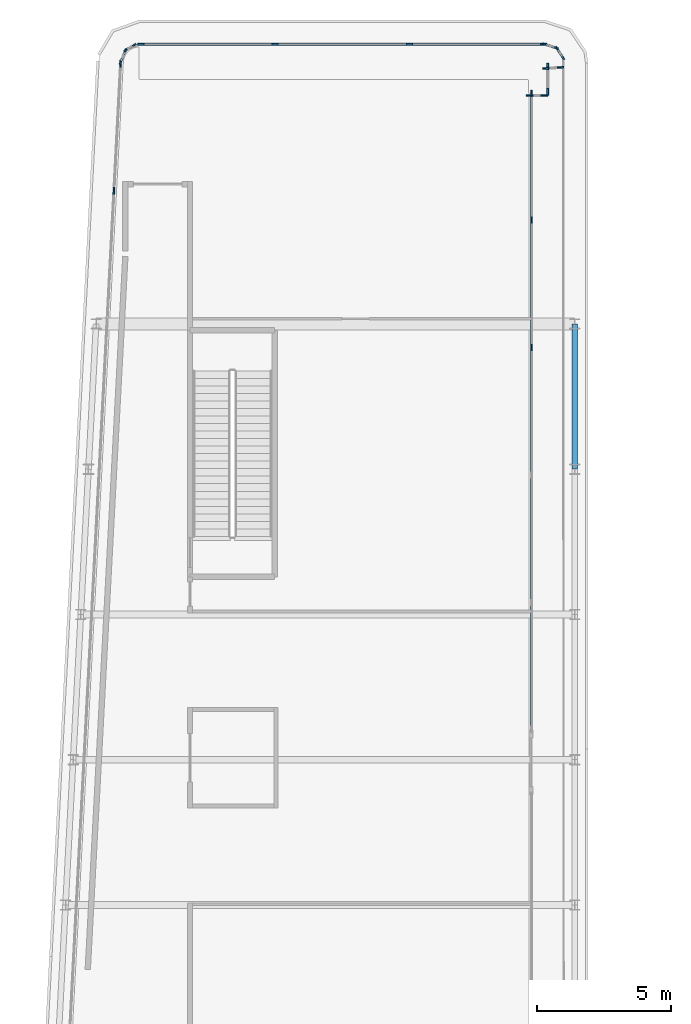
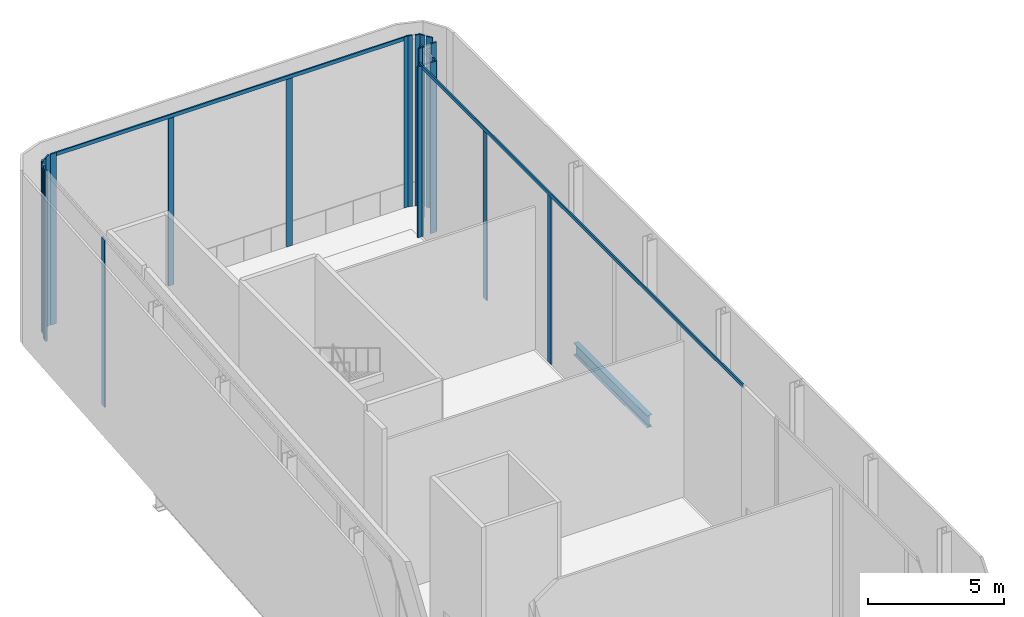
# One storey, part 12 of 27: 25 members, 1 beam, 10 elements without a shape of their own.
"""IFC4 building model written with IfcOpenShell, lengths in metres."""

from ifc_helpers import new_model, si_unit, direction, frame, origin, origin_2d, place, context, subcontext, project, spatial, rectangle, i_section, extrude, material, layer, layer_set, material_profile, profile_set, type_object, element, aggregate, save


model = new_model("IFC4")

# Units and contexts
model_context = context("Model", 3, precision=1e-05, world=origin(), true_north=direction((0.0, 1.0)))
body_context = subcontext(model_context, "Body", "Model", "MODEL_VIEW")
ifc_project = project(units=[si_unit("LENGTHUNIT", "METRE"), si_unit("AREAUNIT", "SQUARE_METRE"), si_unit("VOLUMEUNIT", "CUBIC_METRE"), si_unit("PLANEANGLEUNIT", "RADIAN"), si_unit("MASSUNIT", "GRAM", prefix="KILO")], contexts=[model_context])

# Site, building, storey
site_placement = place(None, origin())
site = spatial("IfcSite", under=ifc_project, at=site_placement, CompositionType="ELEMENT")
building_placement = place(site_placement, origin())
building = spatial("IfcBuilding", under=site, at=building_placement, Name="Kheshtan School and Residences Tower", CompositionType="ELEMENT")
storey_placement = place(building_placement, frame((0.0, 0.0, 266.89990234375)))
storey = spatial("IfcBuildingStorey", under=building, at=storey_placement, Name="L63", CompositionType="ELEMENT", Elevation=266.89990234375)

# Beam
ifc_material_1 = material(Name="Steel ASTM A992 Grade 50", Category="steel")
ifc_material_profile_1 = material_profile(ifc_material_1, i_section(OverallWidth=0.208984375, OverallDepth=0.532958984375, WebThickness=0.01025390625, FlangeThickness=0.015625, FilletRadius=0.013916015625, at=origin_2d()), Name="W530x92")
ifc_profile_set_1 = profile_set([ifc_material_profile_1], Name="Steel ASTM A992 Grade 50")
beam_type = type_object("IfcBeamType", Name="Beam SP3 W530x92 ASTM A992 Grade 50", PredefinedType="BEAM", material=ifc_profile_set_1)
beam_placement = place(storey_placement, frame((47.60009765625, 88.800048828125, -0.41650390625), z_axis=(0.0, -1.0, 0.0), x_axis=(1.0, 0.0, 0.0)))
element("IfcBeam", 1, at=beam_placement, inside=storey, type_object=beam_type, Name="Spandrel beam C099-C091", PredefinedType="BEAM", context=body_context, shape_type="SweptSolid", body=[
    extrude(i_section(OverallWidth=0.208984375, OverallDepth=0.532958984375, WebThickness=0.01025390625, FlangeThickness=0.015625, FilletRadius=0.013916015625, at=origin_2d()), origin(), (0.0, 0.0, 1.0), 5.400146484375),
])

# Curtain wall, members
ifc_material_2 = material(Name="Clear low-e glass in thermally broken aluminium frame", Category="aluminium")
ifc_layer_1 = layer(ifc_material_2, 0.25)
ifc_layer_set_1 = layer_set([ifc_layer_1], Name="Curtain wall CW-G")
curtain_wall_type_1 = type_object("IfcCurtainWallType", Name="Curtain wall CW-G", PredefinedType="NOTDEFINED", material=ifc_layer_set_1)
curtain_wall_1_placement = place(storey_placement, origin())
curtain_wall_1 = element("IfcCurtainWall", 2, at=curtain_wall_1_placement, inside=storey, type_object=curtain_wall_type_1, Name="Curtain wall CWG19b", PredefinedType="NOTDEFINED")
ifc_material_3 = material(Name="Thermally broken aluminium, dark bronze anodised", Category="aluminium")
ifc_material_profile_2 = material_profile(ifc_material_3, rectangle(XDim=0.06005859375, YDim=0.25, at=origin_2d()), Name="CW-G mullion 60x250")
ifc_profile_set_2 = profile_set([ifc_material_profile_2], Name="Thermally broken aluminium, dark bronze anodised")
member_type_1 = type_object("IfcMemberType", Name="CW-G mullion 60x250", PredefinedType="MULLION", material=ifc_profile_set_2)
member_1_placement = place(storey_placement, frame((46.0, 97.3701171875, 0.0), z_axis=(0.0, 0.0, 1.0), x_axis=(1.0, 0.0, 0.0)))
member_1 = element("IfcMember", 3, at=member_1_placement, type_object=member_type_1, Name="CWG19b mullion 1", PredefinedType="MULLION", context=body_context, shape_type="SweptSolid", body=[
    extrude(rectangle(XDim=0.06005859375, YDim=0.25, at=origin_2d()), origin(), (0.0, 0.0, 1.0), 7.650146484375),
])
member_2_placement = place(storey_placement, frame((46.0, 92.659912109375, 0.0), z_axis=(0.0, 0.0, 1.0), x_axis=(1.0, 0.0, 0.0)))
member_2 = element("IfcMember", 4, at=member_2_placement, type_object=member_type_1, Name="CWG19b mullion 2", PredefinedType="MULLION", context=body_context, shape_type="SweptSolid", body=[
    extrude(rectangle(XDim=0.06005859375, YDim=0.25, at=origin_2d()), origin(), (0.0, 0.0, 1.0), 7.489990234375),
])
member_3_placement = place(storey_placement, frame((46.0, 87.919921875, 0.0), z_axis=(0.0, 0.0, 1.0), x_axis=(1.0, 0.0, 0.0)))
member_3 = element("IfcMember", 5, at=member_3_placement, type_object=member_type_1, Name="CWG19b mullion 3", PredefinedType="MULLION", context=body_context, shape_type="SweptSolid", body=[
    extrude(rectangle(XDim=0.06005859375, YDim=0.25, at=origin_2d()), origin(), (0.0, 0.0, 1.0), 7.489990234375),
])
ifc_material_profile_3 = material_profile(ifc_material_3, rectangle(XDim=0.06005859375, YDim=0.159912109375, at=origin_2d()), Name="CW-G transom 60x160")
ifc_profile_set_3 = profile_set([ifc_material_profile_3], Name="Thermally broken aluminium, dark bronze anodised")
member_type_2 = type_object("IfcMemberType", Name="CW-G transom 60x160", PredefinedType="USERDEFINED", material=ifc_profile_set_3)
member_4_placement = place(storey_placement, frame((46.0, 97.340087890625, 7.570068359375), z_axis=(0.0, -1.0, 0.0), x_axis=(1.0, 0.0, 0.0)))
member_4 = element("IfcMember", 6, at=member_4_placement, type_object=member_type_2, Name="CWG19b transom 1", ObjectType="TRANSOM", PredefinedType="USERDEFINED", context=body_context, shape_type="SweptSolid", body=[
    extrude(rectangle(XDim=0.06005859375, YDim=0.159912109375, at=origin_2d()), origin(), (0.0, 0.0, 1.0), 23.580078125),
])
aggregate(curtain_wall_1, [member_1, member_2, member_3, member_4])

ifc_layer_2 = layer(ifc_material_2, 0.25)
ifc_layer_set_2 = layer_set([ifc_layer_2], Name="Curtain wall CW-K")
curtain_wall_type_2 = type_object("IfcCurtainWallType", Name="Curtain wall CW-K", PredefinedType="NOTDEFINED", material=ifc_layer_set_2)
curtain_wall_2_placement = place(storey_placement, origin())
curtain_wall_2 = element("IfcCurtainWall", 7, at=curtain_wall_2_placement, inside=storey, type_object=curtain_wall_type_2, Name="Curtain wall CWK10a", PredefinedType="NOTDEFINED")
ifc_material_profile_4 = material_profile(ifc_material_3, rectangle(XDim=0.06005859375, YDim=0.25, at=origin_2d()), Name="CW-K mullion 60x250")
ifc_profile_set_4 = profile_set([ifc_material_profile_4], Name="Thermally broken aluminium, dark bronze anodised")
member_type_3 = type_object("IfcMemberType", Name="CW-K mullion 60x250", PredefinedType="MULLION", material=ifc_profile_set_4)
member_5_placement = place(storey_placement, frame((30.471923828125, 93.754150390625, 0.0), z_axis=(0.0, 0.0, 1.0), x_axis=(-0.998617497599, 0.05256513568, 0.0)))
member_5 = element("IfcMember", 8, at=member_5_placement, type_object=member_type_3, Name="CWK10a mullion 14", PredefinedType="MULLION", context=body_context, shape_type="SweptSolid", body=[
    extrude(rectangle(XDim=0.06005859375, YDim=0.25, at=origin_2d()), origin(), (0.0, 0.0, 1.0), 7.489990234375),
])
member_6_placement = place(storey_placement, frame((30.720458984375, 98.476318359375, 0.0), z_axis=(0.0, 0.0, 1.0), x_axis=(-0.998617497599, 0.05256513568, 0.0)))
member_6 = element("IfcMember", 9, at=member_6_placement, type_object=member_type_3, Name="CWK10a mullion 15", PredefinedType="MULLION", context=body_context, shape_type="SweptSolid", body=[
    extrude(rectangle(XDim=0.06005859375, YDim=0.25, at=origin_2d()), origin(), (0.0, 0.0, 1.0), 7.650146484375),
])
aggregate(curtain_wall_2, [member_5, member_6])

curtain_wall_3_placement = place(storey_placement, origin())
curtain_wall_3 = element("IfcCurtainWall", 10, at=curtain_wall_3_placement, inside=storey, type_object=curtain_wall_type_2, Name="Curtain wall CWK11a", PredefinedType="NOTDEFINED")
member_7_placement = place(storey_placement, frame((30.740234375, 98.56591796875, 0.0), z_axis=(0.0, 0.0, 1.0), x_axis=(-0.928635523576, 0.370993348125, 0.0)))
member_7 = element("IfcMember", 11, at=member_7_placement, type_object=member_type_3, Name="CWK11a mullion 1", PredefinedType="MULLION", context=body_context, shape_type="SweptSolid", body=[
    extrude(rectangle(XDim=0.06005859375, YDim=0.25, at=origin_2d()), origin(), (0.0, 0.0, 1.0), 7.650146484375),
])
member_8_placement = place(storey_placement, frame((30.87890625, 98.913330078125, 0.0), z_axis=(0.0, 0.0, 1.0), x_axis=(-0.928635523576, 0.370993348125, 0.0)))
member_8 = element("IfcMember", 12, at=member_8_placement, type_object=member_type_3, Name="CWK11a mullion 2", PredefinedType="MULLION", context=body_context, shape_type="SweptSolid", body=[
    extrude(rectangle(XDim=0.06005859375, YDim=0.25, at=origin_2d()), origin(), (0.0, 0.0, 1.0), 7.650146484375),
])
aggregate(curtain_wall_3, [member_7, member_8])

curtain_wall_4_placement = place(storey_placement, origin())
curtain_wall_4 = element("IfcCurtainWall", 13, at=curtain_wall_4_placement, inside=storey, type_object=curtain_wall_type_2, Name="Curtain wall CWK12a", PredefinedType="NOTDEFINED")
member_9_placement = place(storey_placement, frame((30.9560546875, 99.0048828125, 0.0), z_axis=(0.0, 0.0, 1.0), x_axis=(-0.52392646803, 0.851763497749, 0.0)))
member_9 = element("IfcMember", 14, at=member_9_placement, type_object=member_type_3, Name="CWK12a mullion 1", PredefinedType="MULLION", context=body_context, shape_type="SweptSolid", body=[
    extrude(rectangle(XDim=0.06005859375, YDim=0.25, at=origin_2d()), origin(), (0.0, 0.0, 1.0), 7.650146484375),
])
member_10_placement = place(storey_placement, frame((31.18310546875, 99.14453125, 0.0), z_axis=(0.0, 0.0, 1.0), x_axis=(-0.52392646803, 0.851763497749, 0.0)))
member_10 = element("IfcMember", 15, at=member_10_placement, type_object=member_type_3, Name="CWK12a mullion 2", PredefinedType="MULLION", context=body_context, shape_type="SweptSolid", body=[
    extrude(rectangle(XDim=0.06005859375, YDim=0.25, at=origin_2d()), origin(), (0.0, 0.0, 1.0), 7.650146484375),
])
aggregate(curtain_wall_4, [member_9, member_10])

curtain_wall_5_placement = place(storey_placement, origin())
curtain_wall_5 = element("IfcCurtainWall", 16, at=curtain_wall_5_placement, inside=storey, type_object=curtain_wall_type_2, Name="Curtain wall CWK13a", PredefinedType="NOTDEFINED")
member_11_placement = place(storey_placement, frame((31.48388671875, 99.199951171875, 0.0), z_axis=(0.0, 0.0, 1.0), x_axis=(0.0, 1.0, 0.0)))
member_11 = element("IfcMember", 17, at=member_11_placement, type_object=member_type_3, Name="CWK13a mullion 1", PredefinedType="MULLION", context=body_context, shape_type="SweptSolid", body=[
    extrude(rectangle(XDim=0.06005859375, YDim=0.25, at=origin_2d()), origin(), (0.0, 0.0, 1.0), 7.650146484375),
])
member_12_placement = place(storey_placement, frame((36.459228515625, 99.199951171875, 0.0), z_axis=(0.0, 0.0, 1.0), x_axis=(0.0, 1.0, 0.0)))
member_12 = element("IfcMember", 18, at=member_12_placement, type_object=member_type_3, Name="CWK13a mullion 2", PredefinedType="MULLION", context=body_context, shape_type="SweptSolid", body=[
    extrude(rectangle(XDim=0.06005859375, YDim=0.25, at=origin_2d()), origin(), (0.0, 0.0, 1.0), 7.489990234375),
])
member_13_placement = place(storey_placement, frame((41.464599609375, 99.199951171875, 0.0), z_axis=(0.0, 0.0, 1.0), x_axis=(0.0, 1.0, 0.0)))
member_13 = element("IfcMember", 19, at=member_13_placement, type_object=member_type_3, Name="CWK13a mullion 3", PredefinedType="MULLION", context=body_context, shape_type="SweptSolid", body=[
    extrude(rectangle(XDim=0.06005859375, YDim=0.25, at=origin_2d()), origin(), (0.0, 0.0, 1.0), 7.489990234375),
])
member_14_placement = place(storey_placement, frame((46.43994140625, 99.199951171875, 0.0), z_axis=(0.0, 0.0, 1.0), x_axis=(0.0, 1.0, 0.0)))
member_14 = element("IfcMember", 20, at=member_14_placement, type_object=member_type_3, Name="CWK13a mullion 4", PredefinedType="MULLION", context=body_context, shape_type="SweptSolid", body=[
    extrude(rectangle(XDim=0.06005859375, YDim=0.25, at=origin_2d()), origin(), (0.0, 0.0, 1.0), 7.650146484375),
])

curtain_wall_6_placement = place(storey_placement, origin())
curtain_wall_6 = element("IfcCurtainWall", 21, at=curtain_wall_6_placement, inside=storey, type_object=curtain_wall_type_2, Name="Curtain wall CWK14a", PredefinedType="NOTDEFINED")
member_15_placement = place(storey_placement, frame((46.529052734375, 99.18603515625, 0.0), z_axis=(0.0, 0.0, 1.0), x_axis=(0.303900450271, 0.952703792543, 0.0)))
member_15 = element("IfcMember", 22, at=member_15_placement, type_object=member_type_3, Name="CWK14a mullion 1", PredefinedType="MULLION", context=body_context, shape_type="SweptSolid", body=[
    extrude(rectangle(XDim=0.06005859375, YDim=0.25, at=origin_2d()), origin(), (0.0, 0.0, 1.0), 7.650146484375),
])
member_16_placement = place(storey_placement, frame((46.86669921875, 99.078369140625, 0.0), z_axis=(0.0, 0.0, 1.0), x_axis=(0.303900450271, 0.952703792543, 0.0)))
member_16 = element("IfcMember", 23, at=member_16_placement, type_object=member_type_3, Name="CWK14a mullion 2", PredefinedType="MULLION", context=body_context, shape_type="SweptSolid", body=[
    extrude(rectangle(XDim=0.06005859375, YDim=0.25, at=origin_2d()), origin(), (0.0, 0.0, 1.0), 7.650146484375),
])
aggregate(curtain_wall_6, [member_15, member_16])

curtain_wall_7_placement = place(storey_placement, origin())
curtain_wall_7 = element("IfcCurtainWall", 24, at=curtain_wall_7_placement, inside=storey, type_object=curtain_wall_type_2, Name="Curtain wall CWK15a", PredefinedType="NOTDEFINED")
member_17_placement = place(storey_placement, frame((46.96484375, 99.004638671875, 0.0), z_axis=(0.0, 0.0, 1.0), x_axis=(0.831648992198, 0.555301678168, 0.0)))
member_17 = element("IfcMember", 25, at=member_17_placement, type_object=member_type_3, Name="CWK15a mullion 1", PredefinedType="MULLION", context=body_context, shape_type="SweptSolid", body=[
    extrude(rectangle(XDim=0.06005859375, YDim=0.25, at=origin_2d()), origin(), (0.0, 0.0, 1.0), 7.650146484375),
])
member_18_placement = place(storey_placement, frame((47.14453125, 98.735595703125, 0.0), z_axis=(0.0, 0.0, 1.0), x_axis=(0.831648992198, 0.555301678168, 0.0)))
member_18 = element("IfcMember", 26, at=member_18_placement, type_object=member_type_3, Name="CWK15a mullion 2", PredefinedType="MULLION", context=body_context, shape_type="SweptSolid", body=[
    extrude(rectangle(XDim=0.06005859375, YDim=0.25, at=origin_2d()), origin(), (0.0, 0.0, 1.0), 7.650146484375),
])
aggregate(curtain_wall_7, [member_17, member_18])

curtain_wall_8_placement = place(storey_placement, origin())
curtain_wall_8 = element("IfcCurtainWall", 27, at=curtain_wall_8_placement, inside=storey, type_object=curtain_wall_type_2, Name="Curtain wall CWK16a", PredefinedType="NOTDEFINED")
member_19_placement = place(storey_placement, frame((47.07666015625, 98.33837890625, 0.0), z_axis=(0.0, 0.0, 1.0), x_axis=(0.06486312108, -0.997894170503, 0.0)))
member_19 = element("IfcMember", 28, at=member_19_placement, type_object=member_type_3, Name="CWK16a mullion 1", PredefinedType="MULLION", context=body_context, shape_type="SweptSolid", body=[
    extrude(rectangle(XDim=0.06005859375, YDim=0.25, at=origin_2d()), origin(), (0.0, 0.0, 1.0), 7.650146484375),
])
member_20_placement = place(storey_placement, frame((46.536376953125, 98.30322265625, 0.0), z_axis=(0.0, 0.0, 1.0), x_axis=(0.06486312108, -0.997894170503, 0.0)))
member_20 = element("IfcMember", 29, at=member_20_placement, type_object=member_type_3, Name="CWK16a mullion 2", PredefinedType="MULLION", context=body_context, shape_type="SweptSolid", body=[
    extrude(rectangle(XDim=0.06005859375, YDim=0.25, at=origin_2d()), origin(), (0.0, 0.0, 1.0), 7.650146484375),
])
aggregate(curtain_wall_8, [member_19, member_20])

curtain_wall_9_placement = place(storey_placement, origin())
curtain_wall_9 = element("IfcCurtainWall", 30, at=curtain_wall_9_placement, inside=storey, type_object=curtain_wall_type_2, Name="Curtain wall CWK17a", PredefinedType="NOTDEFINED")
member_21_placement = place(storey_placement, frame((46.60009765625, 98.37109375, 0.0), z_axis=(0.0, 0.0, 1.0), x_axis=(1.0, 0.0, 0.0)))
member_21 = element("IfcMember", 31, at=member_21_placement, type_object=member_type_3, Name="CWK17a mullion 1", PredefinedType="MULLION", context=body_context, shape_type="SweptSolid", body=[
    extrude(rectangle(XDim=0.06005859375, YDim=0.25, at=origin_2d()), origin(), (0.0, 0.0, 1.0), 7.650146484375),
])
member_22_placement = place(storey_placement, frame((46.60009765625, 97.429931640625, 0.0), z_axis=(0.0, 0.0, 1.0), x_axis=(1.0, 0.0, 0.0)))
member_22 = element("IfcMember", 32, at=member_22_placement, type_object=member_type_3, Name="CWK17a mullion 2", PredefinedType="MULLION", context=body_context, shape_type="SweptSolid", body=[
    extrude(rectangle(XDim=0.06005859375, YDim=0.25, at=origin_2d()), origin(), (0.0, 0.0, 1.0), 7.650146484375),
])
aggregate(curtain_wall_9, [member_21, member_22])

curtain_wall_10_placement = place(storey_placement, origin())
curtain_wall_10 = element("IfcCurtainWall", 33, at=curtain_wall_10_placement, inside=storey, type_object=curtain_wall_type_2, Name="Curtain wall CWK18a", PredefinedType="NOTDEFINED")
member_23_placement = place(storey_placement, frame((46.469970703125, 97.300048828125, 0.0), z_axis=(0.0, 0.0, 1.0), x_axis=(0.0, -1.0, 0.0)))
member_23 = element("IfcMember", 34, at=member_23_placement, type_object=member_type_3, Name="CWK18a mullion 1", PredefinedType="MULLION", context=body_context, shape_type="SweptSolid", body=[
    extrude(rectangle(XDim=0.06005859375, YDim=0.25, at=origin_2d()), origin(), (0.0, 0.0, 1.0), 7.650146484375),
])
member_24_placement = place(storey_placement, frame((45.929931640625, 97.300048828125, 0.0), z_axis=(0.0, 0.0, 1.0), x_axis=(0.0, -1.0, 0.0)))
member_24 = element("IfcMember", 35, at=member_24_placement, type_object=member_type_3, Name="CWK18a mullion 2", PredefinedType="MULLION", context=body_context, shape_type="SweptSolid", body=[
    extrude(rectangle(XDim=0.06005859375, YDim=0.25, at=origin_2d()), origin(), (0.0, 0.0, 1.0), 7.650146484375),
])
aggregate(curtain_wall_10, [member_23, member_24])

# Member
ifc_material_profile_5 = material_profile(ifc_material_3, rectangle(XDim=0.06005859375, YDim=0.159912109375, at=origin_2d()), Name="CW-K transom 60x160")
ifc_profile_set_5 = profile_set([ifc_material_profile_5], Name="Thermally broken aluminium, dark bronze anodised")
member_type_4 = type_object("IfcMemberType", Name="CW-K transom 60x160", PredefinedType="USERDEFINED", material=ifc_profile_set_5)
member_25_placement = place(storey_placement, frame((31.513916015625, 99.199951171875, 7.570068359375), z_axis=(1.0, 0.0, 0.0), x_axis=(0.0, 1.0, 0.0)))
member_25 = element("IfcMember", 36, at=member_25_placement, type_object=member_type_4, Name="CWK13a transom 1", ObjectType="TRANSOM", PredefinedType="USERDEFINED", context=body_context, shape_type="SweptSolid", body=[
    extrude(rectangle(XDim=0.06005859375, YDim=0.159912109375, at=origin_2d()), origin(), (0.0, 0.0, 1.0), 14.89599609375),
])

aggregate(curtain_wall_5, [member_11, member_12, member_13, member_14, member_25])

save(model, "model.ifc")
